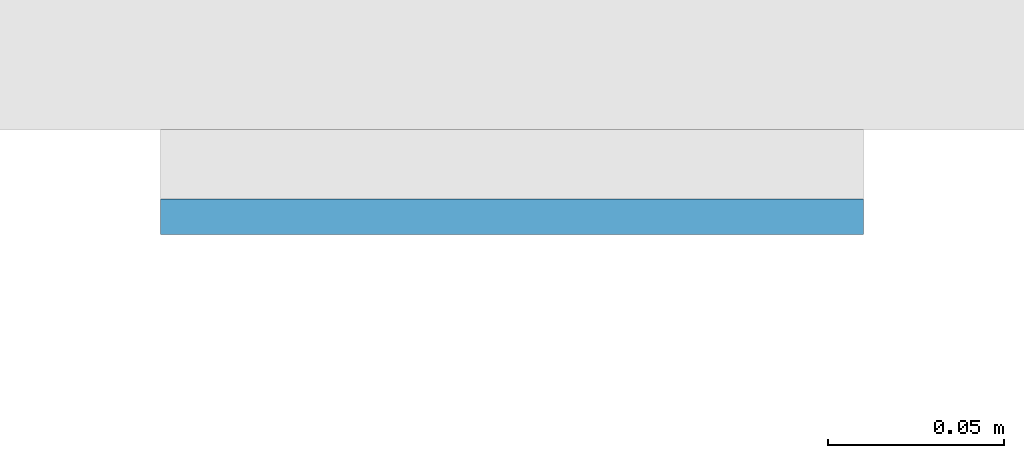
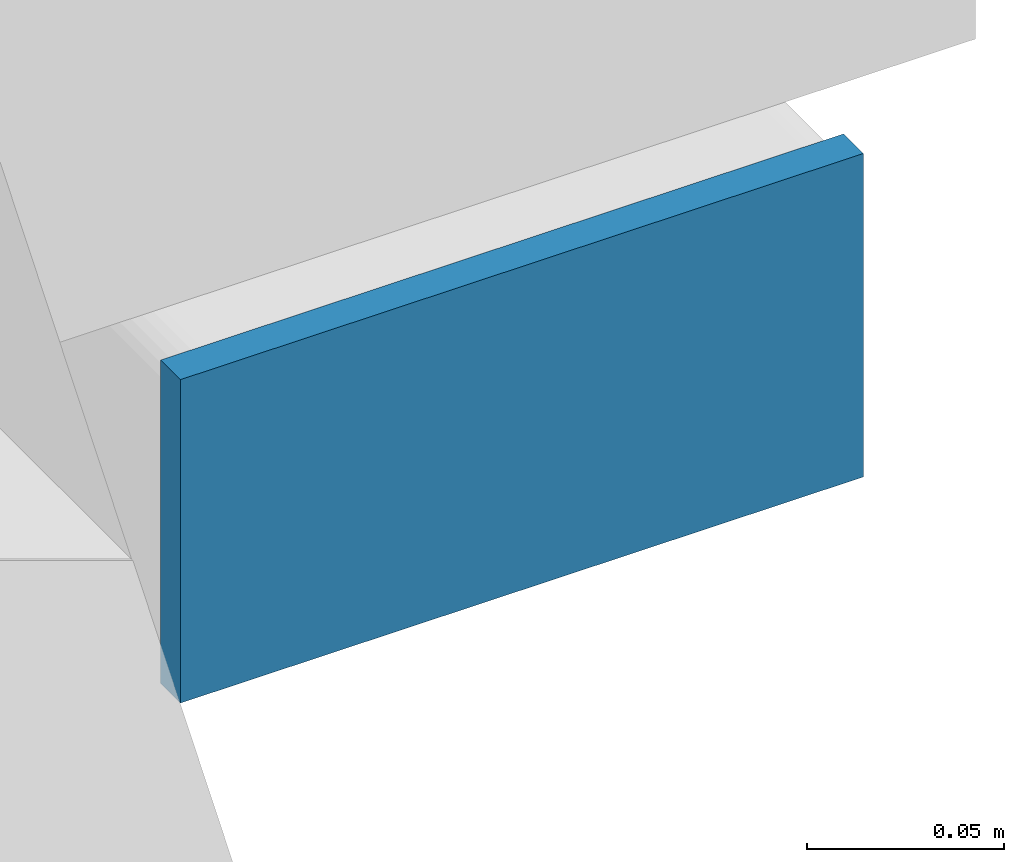
# One storey, part 10 of 20: 1 plate.
"""IFC4 building model written with IfcOpenShell, lengths in metres."""

import ifcopenshell
import ifcopenshell.guid

model = None  # the IFC model being written
_history = None  # IfcOwnerHistory: only IFC2X3 demands one
_inside = {}  # id of a spatial element -> (the spatial element, [elements in it])
_under = {}  # id of a project, library or spatial element -> (it, [spatial elements below it])
_declared = {}  # id of a project -> (the project, [libraries it declares])
_typed = {}  # id of a type object -> (the type object, [elements of that type])
_made_of = {}  # id of a material, layer set ... -> (it, [elements and type objects made of it])


def new_model(schema):
    """Start an empty IFC model of exactly this schema.

    Asked for "IFC4X3", IfcOpenShell would pick the latest addendum, in which some entities
    have other attributes; the version numbers below select the first issue.
    IFC2X3 requires an IfcOwnerHistory on every rooted entity: one is made here for all.
    """
    global model, _history
    if schema == "IFC4X3":
        model = ifcopenshell.file(schema_version=(4, 3, 0, 0))
    else:
        model = ifcopenshell.file(schema=schema)
    _inside.clear()
    _under.clear()
    _declared.clear()
    _typed.clear()
    _made_of.clear()
    _history = None
    if model.schema == "IFC2X3":
        org = make("IfcOrganization", Name="unknown")
        user = make(
            "IfcPersonAndOrganization",
            ThePerson=make("IfcPerson", FamilyName="unknown"),
            TheOrganization=org,
        )
        app = make(
            "IfcApplication",
            ApplicationDeveloper=org,
            Version="unknown",
            ApplicationFullName="unknown",
            ApplicationIdentifier="unknown",
        )
        _history = make(
            "IfcOwnerHistory",
            OwningUser=user,
            OwningApplication=app,
            ChangeAction="ADDED",
            CreationDate=0,
        )
    return model


def make(cls, **values):
    """One entity of the class cls with the attributes given. An attribute that is None is left unset."""
    return model.create_entity(
        cls, **{name: value for name, value in values.items() if value is not None}
    )


def rooted(cls, **values):
    """An entity with a GlobalId (a new one), such as an element, a storey or a relation."""
    return make(cls, GlobalId=ifcopenshell.guid.new(), OwnerHistory=_history, **values)


def si_unit(unit_type, name, prefix=None):
    """IfcSIUnit, for example si_unit("LENGTHUNIT", "METRE", prefix="MILLI")."""
    return make("IfcSIUnit", UnitType=unit_type, Prefix=prefix, Name=name)


def assignment(units):
    """IfcUnitAssignment: the units of a project."""
    return None if units is None else make("IfcUnitAssignment", Units=units)


def point(xyz):
    """IfcCartesianPoint."""
    return None if xyz is None else make("IfcCartesianPoint", Coordinates=xyz)


def direction(xyz):
    """IfcDirection."""
    return None if xyz is None else make("IfcDirection", DirectionRatios=xyz)


def frame(location, z_axis=None, x_axis=None):
    """IfcAxis2Placement3D, a coordinate frame: its origin and axes. An axis left out is left unset."""
    return make(
        "IfcAxis2Placement3D",
        Location=point(location),
        Axis=direction(z_axis),
        RefDirection=direction(x_axis),
    )


def frame_2d(location, x_axis=None):
    """IfcAxis2Placement2D, a coordinate frame in the plane: its origin and x axis."""
    return make(
        "IfcAxis2Placement2D", Location=point(location), RefDirection=direction(x_axis)
    )


def origin():
    """The frame at (0, 0, 0) with its axes left unset."""
    return frame((0.0, 0.0, 0.0))


def origin_2d():
    """The frame at (0, 0) in the plane with its x axis left unset."""
    return frame_2d((0.0, 0.0))


def place(relative_to, where):
    """IfcLocalPlacement: puts the frame where relative to a parent placement (None: the world)."""
    return make(
        "IfcLocalPlacement", PlacementRelTo=relative_to, RelativePlacement=where
    )


def context(
    kind, dimensions, precision=None, world=None, true_north=None, identifier=None
):
    """IfcGeometricRepresentationContext, for example the 3D "Model" context."""
    return make(
        "IfcGeometricRepresentationContext",
        ContextIdentifier=identifier,
        ContextType=kind,
        CoordinateSpaceDimension=dimensions,
        Precision=precision,
        WorldCoordinateSystem=world,
        TrueNorth=true_north,
    )


def subcontext(parent, identifier, kind, view, scale=None):
    """IfcGeometricRepresentationSubContext, for example "Body" below "Model"."""
    return make(
        "IfcGeometricRepresentationSubContext",
        ContextIdentifier=identifier,
        ContextType=kind,
        ParentContext=parent,
        TargetScale=scale,
        TargetView=view,
    )


def project(units=None, contexts=None):
    """IfcProject with its units and contexts."""
    return rooted(
        "IfcProject",
        Name="project",
        RepresentationContexts=contexts,
        UnitsInContext=assignment(units),
    )


def spatial(cls, under=None, at=None, **own):
    """A site, building, storey or space (cls), placed at a placement, below another one or the project."""
    s = rooted(cls, ObjectPlacement=at, **own)
    if under is not None:
        _under.setdefault(under.id(), (under, []))[1].append(s)
    return s


def profile(cls, at=None, kind="AREA", **sizes):
    """A parametric profile (cls). Its sizes go by their IFC names, for example OverallWidth=200.0."""
    return make(cls, ProfileType=kind, Position=at, **sizes)


def rectangle(**sizes):
    """IfcRectangleProfileDef."""
    return profile("IfcRectangleProfileDef", **sizes)


def extrude(swept, where, along, depth):
    """IfcExtrudedAreaSolid: the profile swept, set in the frame where, extruded along a direction by depth."""
    return make(
        "IfcExtrudedAreaSolid",
        SweptArea=swept,
        Position=where,
        ExtrudedDirection=direction(along),
        Depth=depth,
    )


def shape(context_of_items, identifier, shape_type, items):
    """IfcShapeRepresentation: the items that make up one representation, for example the "Body"."""
    return make(
        "IfcShapeRepresentation",
        ContextOfItems=context_of_items,
        RepresentationIdentifier=identifier,
        RepresentationType=shape_type,
        Items=items,
    )


def material(Name=None, Category=None):
    """IfcMaterial."""
    return make("IfcMaterial", Name=Name, Category=Category)


def layer(
    of_material, thickness, ventilated=None, Name=None, Category=None, Priority=None
):
    """IfcMaterialLayer: one layer of a wall or slab, of a material (None: an air gap)."""
    return make(
        "IfcMaterialLayer",
        Material=of_material,
        LayerThickness=thickness,
        IsVentilated=ventilated,
        Name=Name,
        Category=Category,
        Priority=Priority,
    )


def layer_set(layers, Name=None):
    """IfcMaterialLayerSet."""
    return make("IfcMaterialLayerSet", MaterialLayers=layers, LayerSetName=Name)


def made_of(thing, what):
    """Note that an element or type object is made of a material, layer set ...; save() writes the relation."""
    if what is not None:
        _made_of.setdefault(what.id(), (what, []))[1].append(thing)
    return thing


def type_object(cls, material=None, **own):
    """A type object (cls), such as IfcWallType, which elements share."""
    return made_of(rooted(cls, **own), material)


def element(
    cls,
    number,
    at=None,
    inside=None,
    cuts=None,
    type_object=None,
    material=None,
    context=None,
    identifier="Body",
    shape_type=None,
    held_by="IfcProductDefinitionShape",
    body=None,
    shapes=None,
    **own,
):
    """One element of the class cls, such as IfcWall. Its Tag is "e" and its number.

    at: its placement. inside: the storey or other place that contains it. cuts: it is an
    opening in that element (IfcRelVoidsElement). A single representation is given by context,
    identifier, shape_type and body (its items); several are given by shapes. held_by: the class
    of the entity that holds the representations. save() writes the other relations.
    """
    e = rooted(cls, Tag="e%d" % number, ObjectPlacement=at, **own)
    if body is not None:
        shapes = [shape(context, identifier, shape_type, body)]
    if shapes is not None:
        e.Representation = make(held_by, Representations=shapes)
    if inside is not None:
        _inside.setdefault(inside.id(), (inside, []))[1].append(e)
    if cuts is not None:
        rooted(
            "IfcRelVoidsElement", RelatingBuildingElement=cuts, RelatedOpeningElement=e
        )
    if type_object is not None:
        _typed.setdefault(type_object.id(), (type_object, []))[1].append(e)
    return made_of(e, material)


def aggregate(whole, parts):
    """IfcRelAggregates: a whole, such as a stair, and the parts it consists of."""
    return rooted("IfcRelAggregates", RelatingObject=whole, RelatedObjects=parts)


def save(model, path):
    """Write the relations noted so far, then the file.

    IfcRelAggregates (storeys below a building ...), IfcRelContainedInSpatialStructure (elements
    in a storey), IfcRelDefinesByType, IfcRelAssociatesMaterial and IfcRelDeclares: one each for
    every whole, place, type object, material and project.
    """
    for whole, parts in _under.values():
        aggregate(whole, parts)
    for where, things in _inside.values():
        rooted(
            "IfcRelContainedInSpatialStructure",
            RelatedElements=things,
            RelatingStructure=where,
        )
    for kind, things in _typed.values():
        rooted("IfcRelDefinesByType", RelatedObjects=things, RelatingType=kind)
    for what, things in _made_of.values():
        rooted("IfcRelAssociatesMaterial", RelatedObjects=things, RelatingMaterial=what)
    for by, libraries in _declared.values():
        rooted("IfcRelDeclares", RelatingContext=by, RelatedDefinitions=libraries)
    model.write(path)


model = new_model("IFC4")

# Units and contexts
model_context = context("Model", 3, precision=1e-05, world=origin(), true_north=direction((0.0, 1.0)))
body_context = subcontext(model_context, "Body", "Model", "MODEL_VIEW")
ifc_project = project(units=[si_unit("LENGTHUNIT", "METRE"), si_unit("AREAUNIT", "SQUARE_METRE"), si_unit("VOLUMEUNIT", "CUBIC_METRE"), si_unit("PLANEANGLEUNIT", "RADIAN"), si_unit("MASSUNIT", "GRAM", prefix="KILO")], contexts=[model_context])

# Site, building, storey
site_placement = place(None, origin())
site = spatial("IfcSite", under=ifc_project, at=site_placement, CompositionType="ELEMENT")
building_placement = place(site_placement, origin())
building = spatial("IfcBuilding", under=site, at=building_placement, Name="Cleftline Residences", CompositionType="ELEMENT")
storey_placement = place(building_placement, frame((0.0, 0.0, 76.39990234375)))
storey = spatial("IfcBuildingStorey", under=building, at=storey_placement, Name="L19", CompositionType="ELEMENT", Elevation=76.39990234375)

# Plate
ifc_material = material(Name="Steel S355, hot-dip galvanised", Category="steel")
ifc_layer = layer(ifc_material, 0.010009765625)
ifc_layer_set = layer_set([ifc_layer], Name="BAGUETTE CARRIER END PLATE 200X100X10")
plate_type = type_object("IfcPlateType", Name="BAGUETTE CARRIER END PLATE 200X100X10", PredefinedType="USERDEFINED", material=ifc_layer_set)
plate_placement = place(storey_placement, frame((66.85009765625, 3.695068359375, -0.099853515625), z_axis=(0.0, 0.0, 1.0), x_axis=(1.0, 0.0, 0.0)))
element("IfcPlate", 1, at=plate_placement, inside=storey, type_object=plate_type, Name="Baguette carrier end plate", ObjectType="BAGUETTE CARRIER END PLATE", PredefinedType="USERDEFINED", context=body_context, shape_type="SweptSolid", body=[
    extrude(rectangle(XDim=0.199951171875, YDim=0.010009765625, at=origin_2d()), origin(), (0.0, 0.0, 1.0), 0.10009765625),
])

save(model, "model.ifc")
